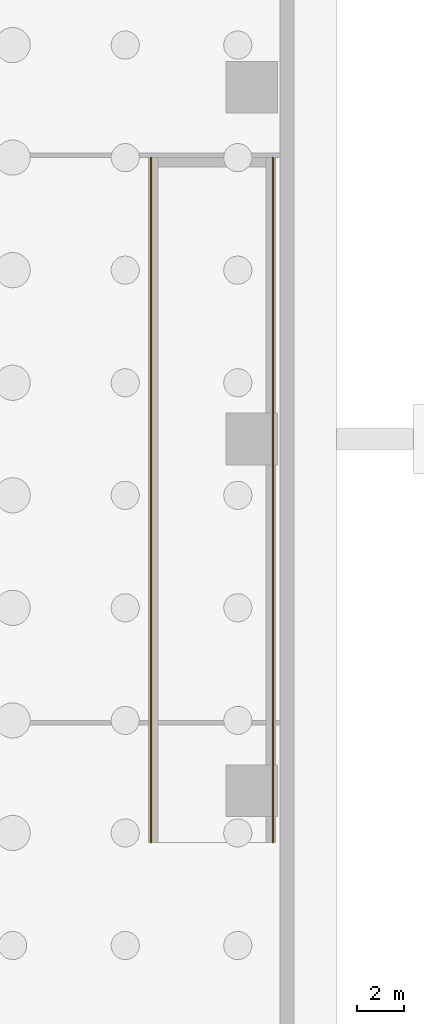
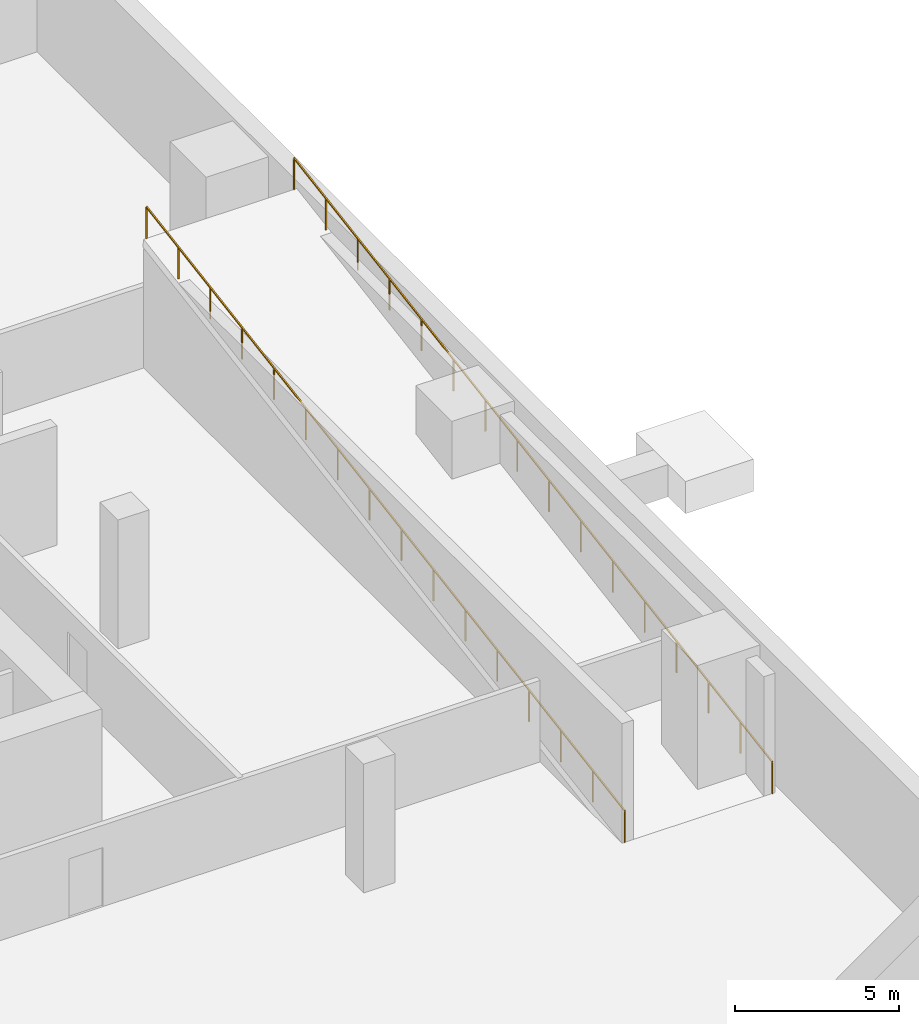
# One storey, part 5 of 6: 2 railings.
"""IFC4 building model written with IfcOpenShell, lengths in metres."""

from ifc_helpers import new_model, si_unit, direction, frame, origin, origin_2d, place, context, subcontext, project, spatial, rectangle, extrude, material, type_object, element, save


model = new_model("IFC4")

# Units and contexts
model_context = context("Model", 3, precision=1e-05, world=origin(), true_north=direction((0.0, 1.0)))
body_context = subcontext(model_context, "Body", "Model", "MODEL_VIEW")
ifc_project = project(units=[si_unit("LENGTHUNIT", "METRE"), si_unit("AREAUNIT", "SQUARE_METRE"), si_unit("VOLUMEUNIT", "CUBIC_METRE"), si_unit("PLANEANGLEUNIT", "RADIAN"), si_unit("MASSUNIT", "GRAM", prefix="KILO")], contexts=[model_context])

# Site, building, storey
site_placement = place(None, origin())
site = spatial("IfcSite", under=ifc_project, at=site_placement, CompositionType="ELEMENT")
building_placement = place(site_placement, origin())
building = spatial("IfcBuilding", under=site, at=building_placement, Name="Belovzor Exchange Tower", CompositionType="ELEMENT")
storey_placement = place(building_placement, frame((0.0, 0.0, -9.60009765625)))
storey = spatial("IfcBuildingStorey", under=building, at=storey_placement, Name="B02", CompositionType="ELEMENT", Elevation=-9.60009765625)

# Railings
ifc_material = material(Name="Steel S355", Category="steel")
railing_type = type_object("IfcRailingType", Name="Internal Vehicle Ramp Safety Guardrail 1200", PredefinedType="GUARDRAIL", material=ifc_material)
railing_1_placement = place(storey_placement, frame((51.5, 11.60009765625, 0.0)))
element("IfcRailing", 1, at=railing_1_placement, inside=storey, type_object=railing_type, Name="GR-3 Vehicle Ramp Safety Guardrail B02 W", PredefinedType="GUARDRAIL", context=body_context, shape_type="SweptSolid", body=[
    extrude(rectangle(XDim=0.048095703125, YDim=0.048095703125, at=origin_2d()), frame((0.0, 0.0, 1.17578125), z_axis=(0.0, 0.98675651096, 0.162208471042), x_axis=(-1.0, 0.0, 0.0)), (0.0, 0.0, 1.0), 29.591796875),
    extrude(rectangle(XDim=0.0419921875, YDim=0.0419921875, at=origin_2d()), origin(), (0.0, 0.0, 1.0), 1.15185546875),
    extrude(rectangle(XDim=0.0419921875, YDim=0.0419921875, at=origin_2d()), frame((0.0, 1.94677734375, 0.320068359375)), (0.0, 0.0, 1.0), 1.15185546875),
    extrude(rectangle(XDim=0.0419921875, YDim=0.0419921875, at=origin_2d()), frame((0.0, 3.893310546875, 0.639892578125)), (0.0, 0.0, 1.0), 1.15185546875),
    extrude(rectangle(XDim=0.0419921875, YDim=0.0419921875, at=origin_2d()), frame((0.0, 5.840087890625, 0.9599609375)), (0.0, 0.0, 1.0), 1.15185546875),
    extrude(rectangle(XDim=0.0419921875, YDim=0.0419921875, at=origin_2d()), frame((0.0, 7.78662109375, 1.280029296875)), (0.0, 0.0, 1.0), 1.15185546875),
    extrude(rectangle(XDim=0.0419921875, YDim=0.0419921875, at=origin_2d()), frame((0.0, 9.7333984375, 1.60009765625)), (0.0, 0.0, 1.0), 1.15185546875),
    extrude(rectangle(XDim=0.0419921875, YDim=0.0419921875, at=origin_2d()), frame((0.0, 11.679931640625, 1.919921875)), (0.0, 0.0, 1.0), 1.15185546875),
    extrude(rectangle(XDim=0.0419921875, YDim=0.0419921875, at=origin_2d()), frame((0.0, 13.626708984375, 2.239990234375)), (0.0, 0.0, 1.0), 1.15185546875),
    extrude(rectangle(XDim=0.0419921875, YDim=0.0419921875, at=origin_2d()), frame((0.0, 15.5732421875, 2.56005859375)), (0.0, 0.0, 1.0), 1.15185546875),
    extrude(rectangle(XDim=0.0419921875, YDim=0.0419921875, at=origin_2d()), frame((0.0, 17.52001953125, 2.880126953125)), (0.0, 0.0, 1.0), 1.15185546875),
    extrude(rectangle(XDim=0.0419921875, YDim=0.0419921875, at=origin_2d()), frame((0.0, 19.466552734375, 3.199951171875)), (0.0, 0.0, 1.0), 1.15185546875),
    extrude(rectangle(XDim=0.0419921875, YDim=0.0419921875, at=origin_2d()), frame((0.0, 21.413330078125, 3.52001953125)), (0.0, 0.0, 1.0), 1.15185546875),
    extrude(rectangle(XDim=0.0419921875, YDim=0.0419921875, at=origin_2d()), frame((0.0, 23.35986328125, 3.840087890625)), (0.0, 0.0, 1.0), 1.15185546875),
    extrude(rectangle(XDim=0.0419921875, YDim=0.0419921875, at=origin_2d()), frame((0.0, 25.306640625, 4.16015625)), (0.0, 0.0, 1.0), 1.15185546875),
    extrude(rectangle(XDim=0.0419921875, YDim=0.0419921875, at=origin_2d()), frame((0.0, 27.253173828125, 4.47998046875)), (0.0, 0.0, 1.0), 1.15185546875),
    extrude(rectangle(XDim=0.0419921875, YDim=0.0419921875, at=origin_2d()), frame((0.0, 29.199951171875, 4.800048828125)), (0.0, 0.0, 1.0), 1.15185546875),
])
railing_2_placement = place(storey_placement, frame((56.699951171875, 11.60009765625, 0.0)))
element("IfcRailing", 2, at=railing_2_placement, inside=storey, type_object=railing_type, Name="GR-3 Vehicle Ramp Safety Guardrail B02 E", PredefinedType="GUARDRAIL", context=body_context, shape_type="SweptSolid", body=[
    extrude(rectangle(XDim=0.048095703125, YDim=0.048095703125, at=origin_2d()), frame((0.0, 0.0, 1.17578125), z_axis=(0.0, 0.98675651096, 0.162208471042), x_axis=(-1.0, 0.0, 0.0)), (0.0, 0.0, 1.0), 29.591796875),
    extrude(rectangle(XDim=0.0419921875, YDim=0.0419921875, at=origin_2d()), origin(), (0.0, 0.0, 1.0), 1.15185546875),
    extrude(rectangle(XDim=0.0419921875, YDim=0.0419921875, at=origin_2d()), frame((0.0, 1.94677734375, 0.320068359375)), (0.0, 0.0, 1.0), 1.15185546875),
    extrude(rectangle(XDim=0.0419921875, YDim=0.0419921875, at=origin_2d()), frame((0.0, 3.893310546875, 0.639892578125)), (0.0, 0.0, 1.0), 1.15185546875),
    extrude(rectangle(XDim=0.0419921875, YDim=0.0419921875, at=origin_2d()), frame((0.0, 5.840087890625, 0.9599609375)), (0.0, 0.0, 1.0), 1.15185546875),
    extrude(rectangle(XDim=0.0419921875, YDim=0.0419921875, at=origin_2d()), frame((0.0, 7.78662109375, 1.280029296875)), (0.0, 0.0, 1.0), 1.15185546875),
    extrude(rectangle(XDim=0.0419921875, YDim=0.0419921875, at=origin_2d()), frame((0.0, 9.7333984375, 1.60009765625)), (0.0, 0.0, 1.0), 1.15185546875),
    extrude(rectangle(XDim=0.0419921875, YDim=0.0419921875, at=origin_2d()), frame((0.0, 11.679931640625, 1.919921875)), (0.0, 0.0, 1.0), 1.15185546875),
    extrude(rectangle(XDim=0.0419921875, YDim=0.0419921875, at=origin_2d()), frame((0.0, 13.626708984375, 2.239990234375)), (0.0, 0.0, 1.0), 1.15185546875),
    extrude(rectangle(XDim=0.0419921875, YDim=0.0419921875, at=origin_2d()), frame((0.0, 15.5732421875, 2.56005859375)), (0.0, 0.0, 1.0), 1.15185546875),
    extrude(rectangle(XDim=0.0419921875, YDim=0.0419921875, at=origin_2d()), frame((0.0, 17.52001953125, 2.880126953125)), (0.0, 0.0, 1.0), 1.15185546875),
    extrude(rectangle(XDim=0.0419921875, YDim=0.0419921875, at=origin_2d()), frame((0.0, 19.466552734375, 3.199951171875)), (0.0, 0.0, 1.0), 1.15185546875),
    extrude(rectangle(XDim=0.0419921875, YDim=0.0419921875, at=origin_2d()), frame((0.0, 21.413330078125, 3.52001953125)), (0.0, 0.0, 1.0), 1.15185546875),
    extrude(rectangle(XDim=0.0419921875, YDim=0.0419921875, at=origin_2d()), frame((0.0, 23.35986328125, 3.840087890625)), (0.0, 0.0, 1.0), 1.15185546875),
    extrude(rectangle(XDim=0.0419921875, YDim=0.0419921875, at=origin_2d()), frame((0.0, 25.306640625, 4.16015625)), (0.0, 0.0, 1.0), 1.15185546875),
    extrude(rectangle(XDim=0.0419921875, YDim=0.0419921875, at=origin_2d()), frame((0.0, 27.253173828125, 4.47998046875)), (0.0, 0.0, 1.0), 1.15185546875),
    extrude(rectangle(XDim=0.0419921875, YDim=0.0419921875, at=origin_2d()), frame((0.0, 29.199951171875, 4.800048828125)), (0.0, 0.0, 1.0), 1.15185546875),
])

save(model, "model.ifc")
